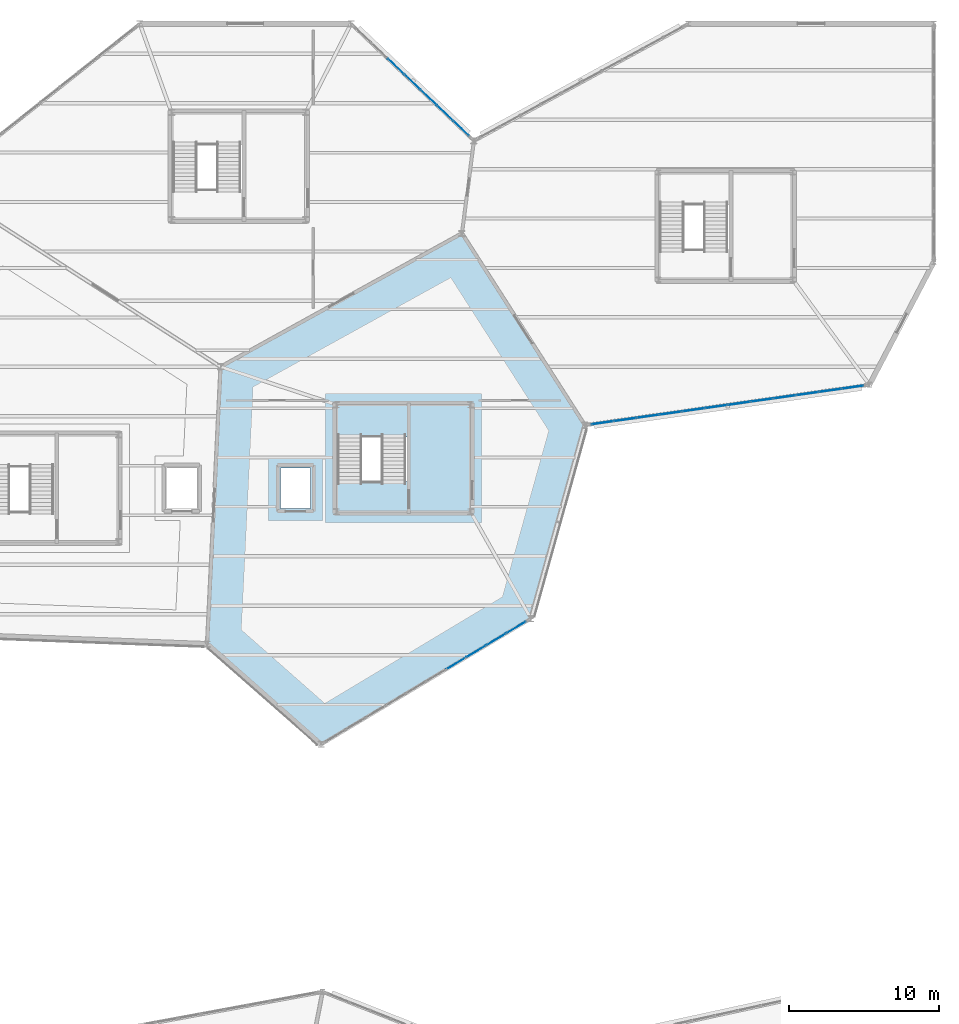
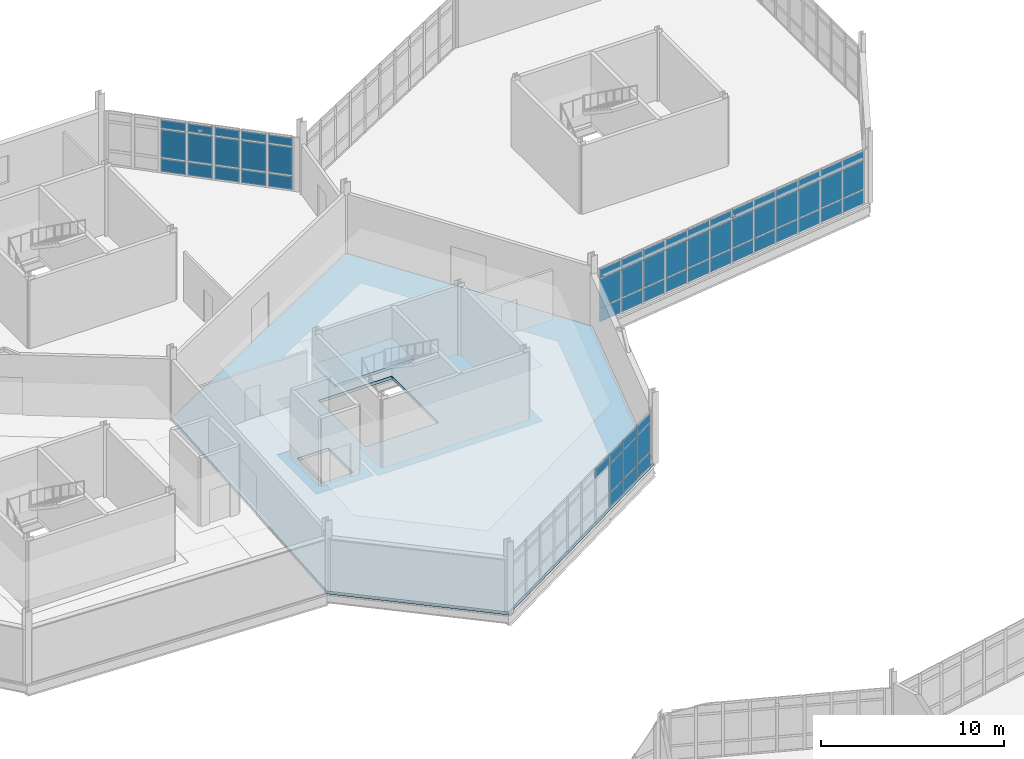
# One storey, part 100 of 134: 61 plates, 2 slabs, 4 elements without a shape of their own.
"""IFC4 building model written with IfcOpenShell, lengths in metres."""

from ifc_helpers import new_model, si_unit, direction, frame, origin, origin_2d, place, context, subcontext, project, spatial, polyline, rectangle, outline, extrude, material, layer, layer_set, type_object, element, aggregate, save


model = new_model("IFC4")

# Units and contexts
model_context = context("Model", 3, precision=1e-05, world=origin(), true_north=direction((0.0, 1.0)))
body_context = subcontext(model_context, "Body", "Model", "MODEL_VIEW")
ifc_project = project(units=[si_unit("LENGTHUNIT", "METRE"), si_unit("AREAUNIT", "SQUARE_METRE"), si_unit("VOLUMEUNIT", "CUBIC_METRE"), si_unit("PLANEANGLEUNIT", "RADIAN"), si_unit("MASSUNIT", "GRAM", prefix="KILO")], contexts=[model_context])

# Site, building, storey
site_placement = place(None, origin())
site = spatial("IfcSite", under=ifc_project, at=site_placement, CompositionType="ELEMENT")
building_placement = place(site_placement, origin())
building = spatial("IfcBuilding", under=site, at=building_placement, Name="Tameran Prism Museum", CompositionType="ELEMENT")
storey_placement = place(building_placement, frame((0.0, 0.0, 5.39990234375)))
storey = spatial("IfcBuildingStorey", under=building, at=storey_placement, Name="L01", CompositionType="ELEMENT", Elevation=5.39990234375)

# Curtain wall, plates
ifc_material_1 = material(Name="Anodised Aluminium 6063-T6 and Cyclone Solar Glass", Category="aluminium")
curtain_wall_type_1 = type_object("IfcCurtainWallType", Name="CW-FAC-1563x362", PredefinedType="USERDEFINED", material=ifc_material_1)
curtain_wall_1_placement = place(storey_placement, origin())
curtain_wall_1 = element("IfcCurtainWall", 1, at=curtain_wall_1_placement, inside=storey, type_object=curtain_wall_type_1, Name="Unitised Curtain Wall CW-056", ObjectType="UNITISED CURTAIN WALL", PredefinedType="USERDEFINED")
ifc_material_2 = material(Name="Low-E Laminated Solar Glass", Category="glass")
ifc_layer_1 = layer(ifc_material_2, 0.028076171875)
ifc_layer_set_1 = layer_set([ifc_layer_1])
plate_type_1 = type_object("IfcPlateType", Name="CW-PNL-G28", PredefinedType="CURTAIN_PANEL", material=ifc_layer_set_1)
plate_1_placement = place(storey_placement, frame((138.514892578125, 71.708984375, 0.070068359375), z_axis=(0.0, 0.0, 1.0), x_axis=(-0.857492925713, -0.514495755426, 0.0)))
plate_1 = element("IfcPlate", 2, at=plate_1_placement, type_object=plate_type_1, Name="CW-056 panel 1.1", PredefinedType="CURTAIN_PANEL", context=body_context, shape_type="SweptSolid", body=[
    extrude(rectangle(XDim=1.457763671875, YDim=0.028076171875, at=origin_2d()), origin(), (0.0, 0.0, 1.0), 0.89501953125),
])
plate_2_placement = place(storey_placement, frame((138.514892578125, 71.708984375, 1.03515625), z_axis=(0.0, 0.0, 1.0), x_axis=(-0.857492925713, -0.514495755426, 0.0)))
plate_2 = element("IfcPlate", 3, at=plate_2_placement, type_object=plate_type_1, Name="CW-056 panel 1.2", PredefinedType="CURTAIN_PANEL", context=body_context, shape_type="SweptSolid", body=[
    extrude(rectangle(XDim=1.457763671875, YDim=0.028076171875, at=origin_2d()), origin(), (0.0, 0.0, 1.0), 1.8701171875),
])
plate_3_placement = place(storey_placement, frame((138.514892578125, 71.708984375, 2.97509765625), z_axis=(0.0, 0.0, 1.0), x_axis=(-0.857492925713, -0.514495755426, 0.0)))
plate_3 = element("IfcPlate", 4, at=plate_3_placement, type_object=plate_type_1, Name="CW-056 panel 1.3", PredefinedType="CURTAIN_PANEL", context=body_context, shape_type="SweptSolid", body=[
    extrude(rectangle(XDim=1.457763671875, YDim=0.028076171875, at=origin_2d()), origin(), (0.0, 0.0, 1.0), 0.574951171875),
])
plate_4_placement = place(storey_placement, frame((137.18994140625, 70.9140625, 0.070068359375), z_axis=(0.0, 0.0, 1.0), x_axis=(-0.857492925713, -0.514495755426, 0.0)))
plate_4 = element("IfcPlate", 5, at=plate_4_placement, type_object=plate_type_1, Name="CW-056 panel 2.1", PredefinedType="CURTAIN_PANEL", context=body_context, shape_type="SweptSolid", body=[
    extrude(rectangle(XDim=1.49267578125, YDim=0.028076171875, at=origin_2d()), origin(), (0.0, 0.0, 1.0), 0.89501953125),
])
plate_5_placement = place(storey_placement, frame((137.18994140625, 70.9140625, 1.03515625), z_axis=(0.0, 0.0, 1.0), x_axis=(-0.857492925713, -0.514495755426, 0.0)))
plate_5 = element("IfcPlate", 6, at=plate_5_placement, type_object=plate_type_1, Name="CW-056 panel 2.2", PredefinedType="CURTAIN_PANEL", context=body_context, shape_type="SweptSolid", body=[
    extrude(rectangle(XDim=1.49267578125, YDim=0.028076171875, at=origin_2d()), origin(), (0.0, 0.0, 1.0), 1.8701171875),
])
plate_6_placement = place(storey_placement, frame((137.18994140625, 70.9140625, 2.97509765625), z_axis=(0.0, 0.0, 1.0), x_axis=(-0.857492925713, -0.514495755426, 0.0)))
plate_6 = element("IfcPlate", 7, at=plate_6_placement, type_object=plate_type_1, Name="CW-056 panel 2.3", PredefinedType="CURTAIN_PANEL", context=body_context, shape_type="SweptSolid", body=[
    extrude(rectangle(XDim=1.49267578125, YDim=0.028076171875, at=origin_2d()), origin(), (0.0, 0.0, 1.0), 0.574951171875),
])
plate_7_placement = place(storey_placement, frame((135.85009765625, 70.110107421875, 0.070068359375), z_axis=(0.0, 0.0, 1.0), x_axis=(-0.857492925713, -0.514495755426, 0.0)))
plate_7 = element("IfcPlate", 8, at=plate_7_placement, type_object=plate_type_1, Name="CW-056 panel 3.1", PredefinedType="CURTAIN_PANEL", context=body_context, shape_type="SweptSolid", body=[
    extrude(rectangle(XDim=1.49267578125, YDim=0.028076171875, at=origin_2d()), origin(), (0.0, 0.0, 1.0), 0.89501953125),
])
plate_8_placement = place(storey_placement, frame((135.85009765625, 70.110107421875, 1.03515625), z_axis=(0.0, 0.0, 1.0), x_axis=(-0.857492925713, -0.514495755426, 0.0)))
plate_8 = element("IfcPlate", 9, at=plate_8_placement, type_object=plate_type_1, Name="CW-056 panel 3.2", PredefinedType="CURTAIN_PANEL", context=body_context, shape_type="SweptSolid", body=[
    extrude(rectangle(XDim=1.49267578125, YDim=0.028076171875, at=origin_2d()), origin(), (0.0, 0.0, 1.0), 1.8701171875),
])
plate_9_placement = place(storey_placement, frame((135.85009765625, 70.110107421875, 2.97509765625), z_axis=(0.0, 0.0, 1.0), x_axis=(-0.857492925713, -0.514495755426, 0.0)))
plate_9 = element("IfcPlate", 10, at=plate_9_placement, type_object=plate_type_1, Name="CW-056 panel 3.3", PredefinedType="CURTAIN_PANEL", context=body_context, shape_type="SweptSolid", body=[
    extrude(rectangle(XDim=1.49267578125, YDim=0.028076171875, at=origin_2d()), origin(), (0.0, 0.0, 1.0), 0.574951171875),
])
plate_10_placement = place(storey_placement, frame((134.510009765625, 69.305908203125, 2.97509765625), z_axis=(0.0, 0.0, 1.0), x_axis=(-0.857492925713, -0.514495755426, 0.0)))
plate_10 = element("IfcPlate", 11, at=plate_10_placement, type_object=plate_type_1, Name="CW-056 panel 4.3", PredefinedType="CURTAIN_PANEL", context=body_context, shape_type="SweptSolid", body=[
    extrude(rectangle(XDim=1.49267578125, YDim=0.028076171875, at=origin_2d()), origin(), (0.0, 0.0, 1.0), 0.574951171875),
])
aggregate(curtain_wall_1, [plate_1, plate_2, plate_3, plate_4, plate_5, plate_6, plate_7, plate_8, plate_9, plate_10])

ifc_material_3 = material(Name="Anodised Aluminium 6063-T6 and Cyclone Solar Glass", Category="aluminium")
curtain_wall_type_2 = type_object("IfcCurtainWallType", Name="CW-FAC-1843x362", PredefinedType="USERDEFINED", material=ifc_material_3)
curtain_wall_2_placement = place(storey_placement, origin())
curtain_wall_2 = element("IfcCurtainWall", 12, at=curtain_wall_2_placement, inside=storey, type_object=curtain_wall_type_2, Name="Unitised Curtain Wall CW-059", ObjectType="UNITISED CURTAIN WALL", PredefinedType="USERDEFINED")
plate_11_placement = place(storey_placement, frame((160.9765625, 87.74072265625, 0.06494140625), z_axis=(0.0, 0.0, 1.0), x_axis=(-0.990045842067, -0.1407452685, 0.0)))
plate_11 = element("IfcPlate", 13, at=plate_11_placement, type_object=plate_type_1, Name="CW-059 panel 1.1", PredefinedType="CURTAIN_PANEL", context=body_context, shape_type="SweptSolid", body=[
    extrude(rectangle(XDim=1.4384765625, YDim=0.028076171875, at=origin_2d()), origin(), (0.0, 0.0, 1.0), 0.902587890625),
])
plate_12_placement = place(storey_placement, frame((160.9765625, 87.74072265625, 1.03271484375), z_axis=(0.0, 0.0, 1.0), x_axis=(-0.990045842067, -0.1407452685, 0.0)))
plate_12 = element("IfcPlate", 14, at=plate_12_placement, type_object=plate_type_1, Name="CW-059 panel 1.2", PredefinedType="CURTAIN_PANEL", context=body_context, shape_type="SweptSolid", body=[
    extrude(rectangle(XDim=1.4384765625, YDim=0.028076171875, at=origin_2d()), origin(), (0.0, 0.0, 1.0), 1.875),
])
plate_13_placement = place(storey_placement, frame((160.9765625, 87.74072265625, 2.97265625), z_axis=(0.0, 0.0, 1.0), x_axis=(-0.990045842067, -0.1407452685, 0.0)))
plate_13 = element("IfcPlate", 15, at=plate_13_placement, type_object=plate_type_1, Name="CW-059 panel 1.3", PredefinedType="CURTAIN_PANEL", context=body_context, shape_type="SweptSolid", body=[
    extrude(rectangle(XDim=1.4384765625, YDim=0.028076171875, at=origin_2d()), origin(), (0.0, 0.0, 1.0), 0.58251953125),
])
plate_14_placement = place(storey_placement, frame((159.47216796875, 87.52685546875, 0.06494140625), z_axis=(0.0, 0.0, 1.0), x_axis=(-0.990045842067, -0.1407452685, 0.0)))
plate_14 = element("IfcPlate", 16, at=plate_14_placement, type_object=plate_type_1, Name="CW-059 panel 2.1", PredefinedType="CURTAIN_PANEL", context=body_context, shape_type="SweptSolid", body=[
    extrude(rectangle(XDim=1.470947265625, YDim=0.028076171875, at=origin_2d()), origin(), (0.0, 0.0, 1.0), 0.902587890625),
])
plate_15_placement = place(storey_placement, frame((159.47216796875, 87.52685546875, 1.03271484375), z_axis=(0.0, 0.0, 1.0), x_axis=(-0.990045842067, -0.1407452685, 0.0)))
plate_15 = element("IfcPlate", 17, at=plate_15_placement, type_object=plate_type_1, Name="CW-059 panel 2.2", PredefinedType="CURTAIN_PANEL", context=body_context, shape_type="SweptSolid", body=[
    extrude(rectangle(XDim=1.470947265625, YDim=0.028076171875, at=origin_2d()), origin(), (0.0, 0.0, 1.0), 1.875),
])
plate_16_placement = place(storey_placement, frame((159.47216796875, 87.52685546875, 2.97265625), z_axis=(0.0, 0.0, 1.0), x_axis=(-0.990045842067, -0.1407452685, 0.0)))
plate_16 = element("IfcPlate", 18, at=plate_16_placement, type_object=plate_type_1, Name="CW-059 panel 2.3", PredefinedType="CURTAIN_PANEL", context=body_context, shape_type="SweptSolid", body=[
    extrude(rectangle(XDim=1.470947265625, YDim=0.028076171875, at=origin_2d()), origin(), (0.0, 0.0, 1.0), 0.58251953125),
])
plate_17_placement = place(storey_placement, frame((157.95166015625, 87.310546875, 0.06494140625), z_axis=(0.0, 0.0, 1.0), x_axis=(-0.990045842067, -0.1407452685, 0.0)))
plate_17 = element("IfcPlate", 19, at=plate_17_placement, type_object=plate_type_1, Name="CW-059 panel 3.1", PredefinedType="CURTAIN_PANEL", context=body_context, shape_type="SweptSolid", body=[
    extrude(rectangle(XDim=1.470947265625, YDim=0.028076171875, at=origin_2d()), origin(), (0.0, 0.0, 1.0), 0.902587890625),
])
plate_18_placement = place(storey_placement, frame((157.95166015625, 87.310546875, 1.03271484375), z_axis=(0.0, 0.0, 1.0), x_axis=(-0.990045842067, -0.1407452685, 0.0)))
plate_18 = element("IfcPlate", 20, at=plate_18_placement, type_object=plate_type_1, Name="CW-059 panel 3.2", PredefinedType="CURTAIN_PANEL", context=body_context, shape_type="SweptSolid", body=[
    extrude(rectangle(XDim=1.470947265625, YDim=0.028076171875, at=origin_2d()), origin(), (0.0, 0.0, 1.0), 1.875),
])
plate_19_placement = place(storey_placement, frame((157.95166015625, 87.310546875, 2.97265625), z_axis=(0.0, 0.0, 1.0), x_axis=(-0.990045842067, -0.1407452685, 0.0)))
plate_19 = element("IfcPlate", 21, at=plate_19_placement, type_object=plate_type_1, Name="CW-059 panel 3.3", PredefinedType="CURTAIN_PANEL", context=body_context, shape_type="SweptSolid", body=[
    extrude(rectangle(XDim=1.470947265625, YDim=0.028076171875, at=origin_2d()), origin(), (0.0, 0.0, 1.0), 0.58251953125),
])
plate_20_placement = place(storey_placement, frame((156.430908203125, 87.094482421875, 0.06494140625), z_axis=(0.0, 0.0, 1.0), x_axis=(-0.990045842067, -0.1407452685, 0.0)))
plate_20 = element("IfcPlate", 22, at=plate_20_placement, type_object=plate_type_1, Name="CW-059 panel 4.1", PredefinedType="CURTAIN_PANEL", context=body_context, shape_type="SweptSolid", body=[
    extrude(rectangle(XDim=1.470947265625, YDim=0.028076171875, at=origin_2d()), origin(), (0.0, 0.0, 1.0), 0.902587890625),
])
plate_21_placement = place(storey_placement, frame((156.430908203125, 87.094482421875, 1.03271484375), z_axis=(0.0, 0.0, 1.0), x_axis=(-0.990045842067, -0.1407452685, 0.0)))
plate_21 = element("IfcPlate", 23, at=plate_21_placement, type_object=plate_type_1, Name="CW-059 panel 4.2", PredefinedType="CURTAIN_PANEL", context=body_context, shape_type="SweptSolid", body=[
    extrude(rectangle(XDim=1.470947265625, YDim=0.028076171875, at=origin_2d()), origin(), (0.0, 0.0, 1.0), 1.875),
])
plate_22_placement = place(storey_placement, frame((156.430908203125, 87.094482421875, 2.97265625), z_axis=(0.0, 0.0, 1.0), x_axis=(-0.990045842067, -0.1407452685, 0.0)))
plate_22 = element("IfcPlate", 24, at=plate_22_placement, type_object=plate_type_1, Name="CW-059 panel 4.3", PredefinedType="CURTAIN_PANEL", context=body_context, shape_type="SweptSolid", body=[
    extrude(rectangle(XDim=1.470947265625, YDim=0.028076171875, at=origin_2d()), origin(), (0.0, 0.0, 1.0), 0.58251953125),
])
plate_23_placement = place(storey_placement, frame((154.910400390625, 86.878173828125, 0.06494140625), z_axis=(0.0, 0.0, 1.0), x_axis=(-0.990045842067, -0.1407452685, 0.0)))
plate_23 = element("IfcPlate", 25, at=plate_23_placement, type_object=plate_type_1, Name="CW-059 panel 5.1", PredefinedType="CURTAIN_PANEL", context=body_context, shape_type="SweptSolid", body=[
    extrude(rectangle(XDim=1.470947265625, YDim=0.028076171875, at=origin_2d()), origin(), (0.0, 0.0, 1.0), 0.902587890625),
])
plate_24_placement = place(storey_placement, frame((154.910400390625, 86.878173828125, 1.03271484375), z_axis=(0.0, 0.0, 1.0), x_axis=(-0.990045842067, -0.1407452685, 0.0)))
plate_24 = element("IfcPlate", 26, at=plate_24_placement, type_object=plate_type_1, Name="CW-059 panel 5.2", PredefinedType="CURTAIN_PANEL", context=body_context, shape_type="SweptSolid", body=[
    extrude(rectangle(XDim=1.470947265625, YDim=0.028076171875, at=origin_2d()), origin(), (0.0, 0.0, 1.0), 1.875),
])
plate_25_placement = place(storey_placement, frame((154.910400390625, 86.878173828125, 2.97265625), z_axis=(0.0, 0.0, 1.0), x_axis=(-0.990045842067, -0.1407452685, 0.0)))
plate_25 = element("IfcPlate", 27, at=plate_25_placement, type_object=plate_type_1, Name="CW-059 panel 5.3", PredefinedType="CURTAIN_PANEL", context=body_context, shape_type="SweptSolid", body=[
    extrude(rectangle(XDim=1.470947265625, YDim=0.028076171875, at=origin_2d()), origin(), (0.0, 0.0, 1.0), 0.58251953125),
])
plate_26_placement = place(storey_placement, frame((153.389892578125, 86.662109375, 0.06494140625), z_axis=(0.0, 0.0, 1.0), x_axis=(-0.990045842067, -0.1407452685, 0.0)))
plate_26 = element("IfcPlate", 28, at=plate_26_placement, type_object=plate_type_1, Name="CW-059 panel 6.1", PredefinedType="CURTAIN_PANEL", context=body_context, shape_type="SweptSolid", body=[
    extrude(rectangle(XDim=1.470947265625, YDim=0.028076171875, at=origin_2d()), origin(), (0.0, 0.0, 1.0), 0.902587890625),
])
plate_27_placement = place(storey_placement, frame((153.389892578125, 86.662109375, 1.03271484375), z_axis=(0.0, 0.0, 1.0), x_axis=(-0.990045842067, -0.1407452685, 0.0)))
plate_27 = element("IfcPlate", 29, at=plate_27_placement, type_object=plate_type_1, Name="CW-059 panel 6.2", PredefinedType="CURTAIN_PANEL", context=body_context, shape_type="SweptSolid", body=[
    extrude(rectangle(XDim=1.470947265625, YDim=0.028076171875, at=origin_2d()), origin(), (0.0, 0.0, 1.0), 1.875),
])
plate_28_placement = place(storey_placement, frame((153.389892578125, 86.662109375, 2.97265625), z_axis=(0.0, 0.0, 1.0), x_axis=(-0.990045842067, -0.1407452685, 0.0)))
plate_28 = element("IfcPlate", 30, at=plate_28_placement, type_object=plate_type_1, Name="CW-059 panel 6.3", PredefinedType="CURTAIN_PANEL", context=body_context, shape_type="SweptSolid", body=[
    extrude(rectangle(XDim=1.470947265625, YDim=0.028076171875, at=origin_2d()), origin(), (0.0, 0.0, 1.0), 0.58251953125),
])
plate_29_placement = place(storey_placement, frame((151.869140625, 86.44580078125, 0.06494140625), z_axis=(0.0, 0.0, 1.0), x_axis=(-0.990045842067, -0.1407452685, 0.0)))
plate_29 = element("IfcPlate", 31, at=plate_29_placement, type_object=plate_type_1, Name="CW-059 panel 7.1", PredefinedType="CURTAIN_PANEL", context=body_context, shape_type="SweptSolid", body=[
    extrude(rectangle(XDim=1.470947265625, YDim=0.028076171875, at=origin_2d()), origin(), (0.0, 0.0, 1.0), 0.902587890625),
])
plate_30_placement = place(storey_placement, frame((151.869140625, 86.44580078125, 1.03271484375), z_axis=(0.0, 0.0, 1.0), x_axis=(-0.990045842067, -0.1407452685, 0.0)))
plate_30 = element("IfcPlate", 32, at=plate_30_placement, type_object=plate_type_1, Name="CW-059 panel 7.2", PredefinedType="CURTAIN_PANEL", context=body_context, shape_type="SweptSolid", body=[
    extrude(rectangle(XDim=1.470947265625, YDim=0.028076171875, at=origin_2d()), origin(), (0.0, 0.0, 1.0), 1.875),
])
plate_31_placement = place(storey_placement, frame((151.869140625, 86.44580078125, 2.97265625), z_axis=(0.0, 0.0, 1.0), x_axis=(-0.990045842067, -0.1407452685, 0.0)))
plate_31 = element("IfcPlate", 33, at=plate_31_placement, type_object=plate_type_1, Name="CW-059 panel 7.3", PredefinedType="CURTAIN_PANEL", context=body_context, shape_type="SweptSolid", body=[
    extrude(rectangle(XDim=1.470947265625, YDim=0.028076171875, at=origin_2d()), origin(), (0.0, 0.0, 1.0), 0.58251953125),
])
plate_32_placement = place(storey_placement, frame((150.3486328125, 86.229736328125, 0.06494140625), z_axis=(0.0, 0.0, 1.0), x_axis=(-0.990045842067, -0.1407452685, 0.0)))
plate_32 = element("IfcPlate", 34, at=plate_32_placement, type_object=plate_type_1, Name="CW-059 panel 8.1", PredefinedType="CURTAIN_PANEL", context=body_context, shape_type="SweptSolid", body=[
    extrude(rectangle(XDim=1.470947265625, YDim=0.028076171875, at=origin_2d()), origin(), (0.0, 0.0, 1.0), 0.902587890625),
])
plate_33_placement = place(storey_placement, frame((150.3486328125, 86.229736328125, 1.03271484375), z_axis=(0.0, 0.0, 1.0), x_axis=(-0.990045842067, -0.1407452685, 0.0)))
plate_33 = element("IfcPlate", 35, at=plate_33_placement, type_object=plate_type_1, Name="CW-059 panel 8.2", PredefinedType="CURTAIN_PANEL", context=body_context, shape_type="SweptSolid", body=[
    extrude(rectangle(XDim=1.470947265625, YDim=0.028076171875, at=origin_2d()), origin(), (0.0, 0.0, 1.0), 1.875),
])
plate_34_placement = place(storey_placement, frame((150.3486328125, 86.229736328125, 2.97265625), z_axis=(0.0, 0.0, 1.0), x_axis=(-0.990045842067, -0.1407452685, 0.0)))
plate_34 = element("IfcPlate", 36, at=plate_34_placement, type_object=plate_type_1, Name="CW-059 panel 8.3", PredefinedType="CURTAIN_PANEL", context=body_context, shape_type="SweptSolid", body=[
    extrude(rectangle(XDim=1.470947265625, YDim=0.028076171875, at=origin_2d()), origin(), (0.0, 0.0, 1.0), 0.58251953125),
])
plate_35_placement = place(storey_placement, frame((148.828125, 86.013671875, 0.06494140625), z_axis=(0.0, 0.0, 1.0), x_axis=(-0.990045842067, -0.1407452685, 0.0)))
plate_35 = element("IfcPlate", 37, at=plate_35_placement, type_object=plate_type_1, Name="CW-059 panel 9.1", PredefinedType="CURTAIN_PANEL", context=body_context, shape_type="SweptSolid", body=[
    extrude(rectangle(XDim=1.470947265625, YDim=0.028076171875, at=origin_2d()), origin(), (0.0, 0.0, 1.0), 0.902587890625),
])
plate_36_placement = place(storey_placement, frame((148.828125, 86.013671875, 1.03271484375), z_axis=(0.0, 0.0, 1.0), x_axis=(-0.990045842067, -0.1407452685, 0.0)))
plate_36 = element("IfcPlate", 38, at=plate_36_placement, type_object=plate_type_1, Name="CW-059 panel 9.2", PredefinedType="CURTAIN_PANEL", context=body_context, shape_type="SweptSolid", body=[
    extrude(rectangle(XDim=1.470947265625, YDim=0.028076171875, at=origin_2d()), origin(), (0.0, 0.0, 1.0), 1.875),
])
plate_37_placement = place(storey_placement, frame((148.828125, 86.013671875, 2.97265625), z_axis=(0.0, 0.0, 1.0), x_axis=(-0.990045842067, -0.1407452685, 0.0)))
plate_37 = element("IfcPlate", 39, at=plate_37_placement, type_object=plate_type_1, Name="CW-059 panel 9.3", PredefinedType="CURTAIN_PANEL", context=body_context, shape_type="SweptSolid", body=[
    extrude(rectangle(XDim=1.470947265625, YDim=0.028076171875, at=origin_2d()), origin(), (0.0, 0.0, 1.0), 0.58251953125),
])
plate_38_placement = place(storey_placement, frame((147.307373046875, 85.79736328125, 0.06494140625), z_axis=(0.0, 0.0, 1.0), x_axis=(-0.990045842067, -0.1407452685, 0.0)))
plate_38 = element("IfcPlate", 40, at=plate_38_placement, type_object=plate_type_1, Name="CW-059 panel 10.1", PredefinedType="CURTAIN_PANEL", context=body_context, shape_type="SweptSolid", body=[
    extrude(rectangle(XDim=1.470947265625, YDim=0.028076171875, at=origin_2d()), origin(), (0.0, 0.0, 1.0), 0.902587890625),
])
plate_39_placement = place(storey_placement, frame((147.307373046875, 85.79736328125, 1.03271484375), z_axis=(0.0, 0.0, 1.0), x_axis=(-0.990045842067, -0.1407452685, 0.0)))
plate_39 = element("IfcPlate", 41, at=plate_39_placement, type_object=plate_type_1, Name="CW-059 panel 10.2", PredefinedType="CURTAIN_PANEL", context=body_context, shape_type="SweptSolid", body=[
    extrude(rectangle(XDim=1.470947265625, YDim=0.028076171875, at=origin_2d()), origin(), (0.0, 0.0, 1.0), 1.875),
])
plate_40_placement = place(storey_placement, frame((147.307373046875, 85.79736328125, 2.97265625), z_axis=(0.0, 0.0, 1.0), x_axis=(-0.990045842067, -0.1407452685, 0.0)))
plate_40 = element("IfcPlate", 42, at=plate_40_placement, type_object=plate_type_1, Name="CW-059 panel 10.3", PredefinedType="CURTAIN_PANEL", context=body_context, shape_type="SweptSolid", body=[
    extrude(rectangle(XDim=1.470947265625, YDim=0.028076171875, at=origin_2d()), origin(), (0.0, 0.0, 1.0), 0.58251953125),
])
plate_41_placement = place(storey_placement, frame((145.786865234375, 85.581298828125, 0.06494140625), z_axis=(0.0, 0.0, 1.0), x_axis=(-0.990045842067, -0.1407452685, 0.0)))
plate_41 = element("IfcPlate", 43, at=plate_41_placement, type_object=plate_type_1, Name="CW-059 panel 11.1", PredefinedType="CURTAIN_PANEL", context=body_context, shape_type="SweptSolid", body=[
    extrude(rectangle(XDim=1.470947265625, YDim=0.028076171875, at=origin_2d()), origin(), (0.0, 0.0, 1.0), 0.902587890625),
])
plate_42_placement = place(storey_placement, frame((145.786865234375, 85.581298828125, 1.03271484375), z_axis=(0.0, 0.0, 1.0), x_axis=(-0.990045842067, -0.1407452685, 0.0)))
plate_42 = element("IfcPlate", 44, at=plate_42_placement, type_object=plate_type_1, Name="CW-059 panel 11.2", PredefinedType="CURTAIN_PANEL", context=body_context, shape_type="SweptSolid", body=[
    extrude(rectangle(XDim=1.470947265625, YDim=0.028076171875, at=origin_2d()), origin(), (0.0, 0.0, 1.0), 1.875),
])
plate_43_placement = place(storey_placement, frame((145.786865234375, 85.581298828125, 2.97265625), z_axis=(0.0, 0.0, 1.0), x_axis=(-0.990045842067, -0.1407452685, 0.0)))
plate_43 = element("IfcPlate", 45, at=plate_43_placement, type_object=plate_type_1, Name="CW-059 panel 11.3", PredefinedType="CURTAIN_PANEL", context=body_context, shape_type="SweptSolid", body=[
    extrude(rectangle(XDim=1.470947265625, YDim=0.028076171875, at=origin_2d()), origin(), (0.0, 0.0, 1.0), 0.58251953125),
])
plate_44_placement = place(storey_placement, frame((144.282470703125, 85.367431640625, 0.06494140625), z_axis=(0.0, 0.0, 1.0), x_axis=(-0.990045842067, -0.1407452685, 0.0)))
plate_44 = element("IfcPlate", 46, at=plate_44_placement, type_object=plate_type_1, Name="CW-059 panel 12.1", PredefinedType="CURTAIN_PANEL", context=body_context, shape_type="SweptSolid", body=[
    extrude(rectangle(XDim=1.4384765625, YDim=0.028076171875, at=origin_2d()), origin(), (0.0, 0.0, 1.0), 0.902587890625),
])
plate_45_placement = place(storey_placement, frame((144.282470703125, 85.367431640625, 1.03271484375), z_axis=(0.0, 0.0, 1.0), x_axis=(-0.990045842067, -0.1407452685, 0.0)))
plate_45 = element("IfcPlate", 47, at=plate_45_placement, type_object=plate_type_1, Name="CW-059 panel 12.2", PredefinedType="CURTAIN_PANEL", context=body_context, shape_type="SweptSolid", body=[
    extrude(rectangle(XDim=1.4384765625, YDim=0.028076171875, at=origin_2d()), origin(), (0.0, 0.0, 1.0), 1.875),
])
plate_46_placement = place(storey_placement, frame((144.282470703125, 85.367431640625, 2.97265625), z_axis=(0.0, 0.0, 1.0), x_axis=(-0.990045842067, -0.1407452685, 0.0)))
plate_46 = element("IfcPlate", 48, at=plate_46_placement, type_object=plate_type_1, Name="CW-059 panel 12.3", PredefinedType="CURTAIN_PANEL", context=body_context, shape_type="SweptSolid", body=[
    extrude(rectangle(XDim=1.4384765625, YDim=0.028076171875, at=origin_2d()), origin(), (0.0, 0.0, 1.0), 0.58251953125),
])
aggregate(curtain_wall_2, [plate_11, plate_12, plate_13, plate_14, plate_15, plate_16, plate_17, plate_18, plate_19, plate_20, plate_21, plate_22, plate_23, plate_24, plate_25, plate_26, plate_27, plate_28, plate_29, plate_30, plate_31, plate_32, plate_33, plate_34, plate_35, plate_36, plate_37, plate_38, plate_39, plate_40, plate_41, plate_42, plate_43, plate_44, plate_45, plate_46])

ifc_material_4 = material(Name="Anodised Aluminium 6063-T6 and Cyclone Solar Glass", Category="aluminium")
curtain_wall_type_3 = type_object("IfcCurtainWallType", Name="CW-FAC-1056x362", PredefinedType="USERDEFINED", material=ifc_material_4)
curtain_wall_3_placement = place(storey_placement, origin())
curtain_wall_3 = element("IfcCurtainWall", 49, at=curtain_wall_3_placement, inside=storey, type_object=curtain_wall_type_3, Name="Unitised Curtain Wall CW-057", ObjectType="UNITISED CURTAIN WALL", PredefinedType="USERDEFINED")
ifc_material_5 = material(Name="Cyclone Laminated Solar Glass", Category="glass")
ifc_layer_2 = layer(ifc_material_5, 0.031982421875)
ifc_layer_set_2 = layer_set([ifc_layer_2])
plate_type_2 = type_object("IfcPlateType", Name="CW-PNL-G32", PredefinedType="CURTAIN_PANEL", material=ifc_layer_set_2)
plate_47_placement = place(storey_placement, frame((130.48583984375, 109.16015625, 0.0751953125), z_axis=(0.0, 0.0, 1.0), x_axis=(0.724504990922, -0.689269554042, 0.0)))
plate_47 = element("IfcPlate", 50, at=plate_47_placement, type_object=plate_type_2, Name="CW-057 panel 3.1", PredefinedType="CURTAIN_PANEL", context=body_context, shape_type="SweptSolid", body=[
    extrude(rectangle(XDim=1.43310546875, YDim=0.031982421875, at=origin_2d()), origin(), (0.0, 0.0, 1.0), 0.887451171875),
])
plate_48_placement = place(storey_placement, frame((130.48583984375, 109.16015625, 1.03759765625), z_axis=(0.0, 0.0, 1.0), x_axis=(0.724504990922, -0.689269554042, 0.0)))
plate_48 = element("IfcPlate", 51, at=plate_48_placement, type_object=plate_type_2, Name="CW-057 panel 3.2", PredefinedType="CURTAIN_PANEL", context=body_context, shape_type="SweptSolid", body=[
    extrude(rectangle(XDim=1.43310546875, YDim=0.031982421875, at=origin_2d()), origin(), (0.0, 0.0, 1.0), 1.864990234375),
])
plate_49_placement = place(storey_placement, frame((130.48583984375, 109.16015625, 2.9775390625), z_axis=(0.0, 0.0, 1.0), x_axis=(0.724504990922, -0.689269554042, 0.0)))
plate_49 = element("IfcPlate", 52, at=plate_49_placement, type_object=plate_type_2, Name="CW-057 panel 3.3", PredefinedType="CURTAIN_PANEL", context=body_context, shape_type="SweptSolid", body=[
    extrude(rectangle(XDim=1.43310546875, YDim=0.031982421875, at=origin_2d()), origin(), (0.0, 0.0, 1.0), 0.5673828125),
])
plate_50_placement = place(storey_placement, frame((131.57861328125, 108.12060546875, 0.0751953125), z_axis=(0.0, 0.0, 1.0), x_axis=(0.724504990922, -0.689269554042, 0.0)))
plate_50 = element("IfcPlate", 53, at=plate_50_placement, type_object=plate_type_2, Name="CW-057 panel 4.1", PredefinedType="CURTAIN_PANEL", context=body_context, shape_type="SweptSolid", body=[
    extrude(rectangle(XDim=1.43310546875, YDim=0.031982421875, at=origin_2d()), origin(), (0.0, 0.0, 1.0), 0.887451171875),
])
plate_51_placement = place(storey_placement, frame((131.57861328125, 108.12060546875, 1.03759765625), z_axis=(0.0, 0.0, 1.0), x_axis=(0.724504990922, -0.689269554042, 0.0)))
plate_51 = element("IfcPlate", 54, at=plate_51_placement, type_object=plate_type_2, Name="CW-057 panel 4.2", PredefinedType="CURTAIN_PANEL", context=body_context, shape_type="SweptSolid", body=[
    extrude(rectangle(XDim=1.43310546875, YDim=0.031982421875, at=origin_2d()), origin(), (0.0, 0.0, 1.0), 1.864990234375),
])
plate_52_placement = place(storey_placement, frame((131.57861328125, 108.12060546875, 2.9775390625), z_axis=(0.0, 0.0, 1.0), x_axis=(0.724504990922, -0.689269554042, 0.0)))
plate_52 = element("IfcPlate", 55, at=plate_52_placement, type_object=plate_type_2, Name="CW-057 panel 4.3", PredefinedType="CURTAIN_PANEL", context=body_context, shape_type="SweptSolid", body=[
    extrude(rectangle(XDim=1.43310546875, YDim=0.031982421875, at=origin_2d()), origin(), (0.0, 0.0, 1.0), 0.5673828125),
])
plate_53_placement = place(storey_placement, frame((132.671142578125, 107.080810546875, 0.0751953125), z_axis=(0.0, 0.0, 1.0), x_axis=(0.724504990922, -0.689269554042, 0.0)))
plate_53 = element("IfcPlate", 56, at=plate_53_placement, type_object=plate_type_2, Name="CW-057 panel 5.1", PredefinedType="CURTAIN_PANEL", context=body_context, shape_type="SweptSolid", body=[
    extrude(rectangle(XDim=1.43310546875, YDim=0.031982421875, at=origin_2d()), origin(), (0.0, 0.0, 1.0), 0.887451171875),
])
plate_54_placement = place(storey_placement, frame((132.671142578125, 107.080810546875, 1.03759765625), z_axis=(0.0, 0.0, 1.0), x_axis=(0.724504990922, -0.689269554042, 0.0)))
plate_54 = element("IfcPlate", 57, at=plate_54_placement, type_object=plate_type_2, Name="CW-057 panel 5.2", PredefinedType="CURTAIN_PANEL", context=body_context, shape_type="SweptSolid", body=[
    extrude(rectangle(XDim=1.43310546875, YDim=0.031982421875, at=origin_2d()), origin(), (0.0, 0.0, 1.0), 1.864990234375),
])
plate_55_placement = place(storey_placement, frame((132.671142578125, 107.080810546875, 2.9775390625), z_axis=(0.0, 0.0, 1.0), x_axis=(0.724504990922, -0.689269554042, 0.0)))
plate_55 = element("IfcPlate", 58, at=plate_55_placement, type_object=plate_type_2, Name="CW-057 panel 5.3", PredefinedType="CURTAIN_PANEL", context=body_context, shape_type="SweptSolid", body=[
    extrude(rectangle(XDim=1.43310546875, YDim=0.031982421875, at=origin_2d()), origin(), (0.0, 0.0, 1.0), 0.5673828125),
])
plate_56_placement = place(storey_placement, frame((133.763916015625, 106.041259765625, 0.0751953125), z_axis=(0.0, 0.0, 1.0), x_axis=(0.724504990922, -0.689269554042, 0.0)))
plate_56 = element("IfcPlate", 59, at=plate_56_placement, type_object=plate_type_2, Name="CW-057 panel 6.1", PredefinedType="CURTAIN_PANEL", context=body_context, shape_type="SweptSolid", body=[
    extrude(rectangle(XDim=1.43310546875, YDim=0.031982421875, at=origin_2d()), origin(), (0.0, 0.0, 1.0), 0.887451171875),
])
plate_57_placement = place(storey_placement, frame((133.763916015625, 106.041259765625, 1.03759765625), z_axis=(0.0, 0.0, 1.0), x_axis=(0.724504990922, -0.689269554042, 0.0)))
plate_57 = element("IfcPlate", 60, at=plate_57_placement, type_object=plate_type_2, Name="CW-057 panel 6.2", PredefinedType="CURTAIN_PANEL", context=body_context, shape_type="SweptSolid", body=[
    extrude(rectangle(XDim=1.43310546875, YDim=0.031982421875, at=origin_2d()), origin(), (0.0, 0.0, 1.0), 1.864990234375),
])
plate_58_placement = place(storey_placement, frame((133.763916015625, 106.041259765625, 2.9775390625), z_axis=(0.0, 0.0, 1.0), x_axis=(0.724504990922, -0.689269554042, 0.0)))
plate_58 = element("IfcPlate", 61, at=plate_58_placement, type_object=plate_type_2, Name="CW-057 panel 6.3", PredefinedType="CURTAIN_PANEL", context=body_context, shape_type="SweptSolid", body=[
    extrude(rectangle(XDim=1.43310546875, YDim=0.031982421875, at=origin_2d()), origin(), (0.0, 0.0, 1.0), 0.5673828125),
])
plate_59_placement = place(storey_placement, frame((134.843017578125, 105.0146484375, 0.0751953125), z_axis=(0.0, 0.0, 1.0), x_axis=(0.724504990922, -0.689269554042, 0.0)))
plate_59 = element("IfcPlate", 62, at=plate_59_placement, type_object=plate_type_2, Name="CW-057 panel 7.1", PredefinedType="CURTAIN_PANEL", context=body_context, shape_type="SweptSolid", body=[
    extrude(rectangle(XDim=1.395751953125, YDim=0.031982421875, at=origin_2d()), origin(), (0.0, 0.0, 1.0), 0.887451171875),
])
plate_60_placement = place(storey_placement, frame((134.843017578125, 105.0146484375, 1.03759765625), z_axis=(0.0, 0.0, 1.0), x_axis=(0.724504990922, -0.689269554042, 0.0)))
plate_60 = element("IfcPlate", 63, at=plate_60_placement, type_object=plate_type_2, Name="CW-057 panel 7.2", PredefinedType="CURTAIN_PANEL", context=body_context, shape_type="SweptSolid", body=[
    extrude(rectangle(XDim=1.395751953125, YDim=0.031982421875, at=origin_2d()), origin(), (0.0, 0.0, 1.0), 1.864990234375),
])
plate_61_placement = place(storey_placement, frame((134.843017578125, 105.0146484375, 2.9775390625), z_axis=(0.0, 0.0, 1.0), x_axis=(0.724504990922, -0.689269554042, 0.0)))
plate_61 = element("IfcPlate", 64, at=plate_61_placement, type_object=plate_type_2, Name="CW-057 panel 7.3", PredefinedType="CURTAIN_PANEL", context=body_context, shape_type="SweptSolid", body=[
    extrude(rectangle(XDim=1.395751953125, YDim=0.031982421875, at=origin_2d()), origin(), (0.0, 0.0, 1.0), 0.5673828125),
])
aggregate(curtain_wall_3, [plate_47, plate_48, plate_49, plate_50, plate_51, plate_52, plate_53, plate_54, plate_55, plate_56, plate_57, plate_58, plate_59, plate_60, plate_61])

# Slab
ifc_material_6 = material(Name="Concrete N32 (32 MPa)", Category="concrete")
ifc_layer_3 = layer(ifc_material_6, 0.199951171875)
ifc_layer_set_3 = layer_set([ifc_layer_3])
slab_type_1 = type_object("IfcSlabType", Name="SL-FLR-200", PredefinedType="FLOOR", material=ifc_layer_set_3)
slab_1_placement = place(storey_placement, frame((0.0, 0.0, -0.199951171875)))
element("IfcSlab", 65, at=slab_1_placement, inside=storey, type_object=slab_type_1, Name="Floor Slab FS-P02-L01", PredefinedType="FLOOR", context=body_context, shape_type="SweptSolid", body=[
    extrude(outline(polyline([(118.800048828125, 89.10009765625), (134.89990234375, 98.0), (143.10009765625, 85.199951171875), (139.5, 72.300048828125), (125.5, 63.89990234375), (117.89990234375, 70.60009765625), (118.800048828125, 89.10009765625)]), holes=[polyline([(124.800048828125, 79.64990234375), (124.800048828125, 82.35009765625), (122.800048828125, 82.35009765625), (122.800048828125, 79.64990234375), (124.800048828125, 79.64990234375)]), polyline([(131.219970703125, 81.43994140625), (131.219970703125, 86.550048828125), (126.60009765625, 86.550048828125), (126.60009765625, 81.43994140625), (131.219970703125, 81.43994140625)])]), origin(), (0.0, 0.0, 1.0), 0.199951171875),
])

# Stair, slab
ifc_material_7 = material(Name="Concrete N40 (40 MPa)", Category="concrete")
stair_type = type_object("IfcStairType", Name="ST-CORE-48", PredefinedType="HALF_TURN_STAIR", material=ifc_material_7)
stair_placement = place(storey_placement, origin())
stair = element("IfcStair", 66, at=stair_placement, inside=storey, type_object=stair_type, Name="Fire-Isolated Stair ST-02-L01", PredefinedType="HALF_TURN_STAIR")
ifc_material_8 = material(Name="Concrete N40 (40 MPa)", Category="concrete")
ifc_layer_4 = layer(ifc_material_8, 0.18505859375)
ifc_layer_set_4 = layer_set([ifc_layer_4])
slab_type_2 = type_object("IfcSlabType", Name="SL-LND-185", PredefinedType="LANDING", material=ifc_layer_set_4)
slab_2_placement = place(storey_placement, frame((0.0, 0.0, 2.215087890625)))
slab_2 = element("IfcSlab", 67, at=slab_2_placement, type_object=slab_type_2, Name="ST-02-L01 landing 1", PredefinedType="LANDING", context=body_context, shape_type="SweptSolid", body=[
    extrude(outline(polyline([(126.3798828125, 84.4150390625), (131.3701171875, 84.4150390625), (131.3701171875, 86.719970703125), (126.3798828125, 86.719970703125), (126.3798828125, 84.4150390625)])), origin(), (0.0, 0.0, 1.0), 0.18505859375),
])
aggregate(stair, [slab_2])

save(model, "model.ifc")
